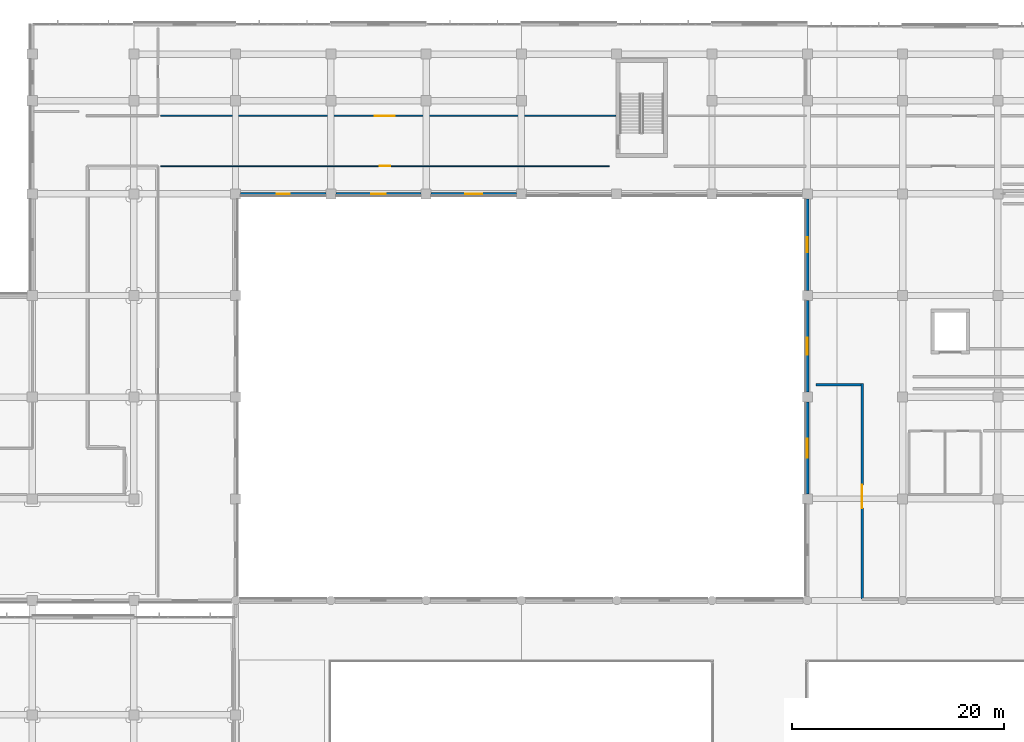
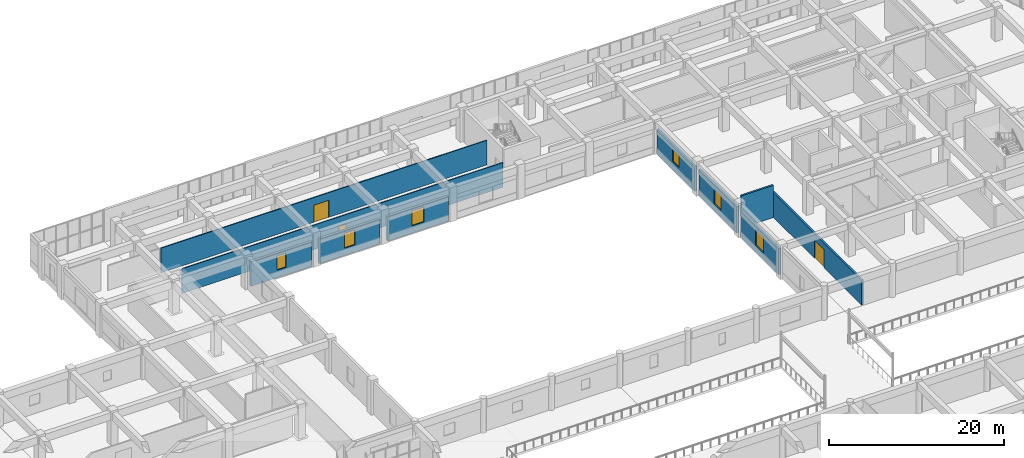
# One storey, part 58 of 86: 10 walls, 6 windows, 3 doors, 9 openings.
"""IFC4 building model written with IfcOpenShell, lengths in metres."""

import ifcopenshell
import ifcopenshell.guid

model = None  # the IFC model being written
_history = None  # IfcOwnerHistory: only IFC2X3 demands one
_inside = {}  # id of a spatial element -> (the spatial element, [elements in it])
_under = {}  # id of a project, library or spatial element -> (it, [spatial elements below it])
_declared = {}  # id of a project -> (the project, [libraries it declares])
_typed = {}  # id of a type object -> (the type object, [elements of that type])
_made_of = {}  # id of a material, layer set ... -> (it, [elements and type objects made of it])


def new_model(schema):
    """Start an empty IFC model of exactly this schema.

    Asked for "IFC4X3", IfcOpenShell would pick the latest addendum, in which some entities
    have other attributes; the version numbers below select the first issue.
    IFC2X3 requires an IfcOwnerHistory on every rooted entity: one is made here for all.
    """
    global model, _history
    if schema == "IFC4X3":
        model = ifcopenshell.file(schema_version=(4, 3, 0, 0))
    else:
        model = ifcopenshell.file(schema=schema)
    _inside.clear()
    _under.clear()
    _declared.clear()
    _typed.clear()
    _made_of.clear()
    _history = None
    if model.schema == "IFC2X3":
        org = make("IfcOrganization", Name="unknown")
        user = make(
            "IfcPersonAndOrganization",
            ThePerson=make("IfcPerson", FamilyName="unknown"),
            TheOrganization=org,
        )
        app = make(
            "IfcApplication",
            ApplicationDeveloper=org,
            Version="unknown",
            ApplicationFullName="unknown",
            ApplicationIdentifier="unknown",
        )
        _history = make(
            "IfcOwnerHistory",
            OwningUser=user,
            OwningApplication=app,
            ChangeAction="ADDED",
            CreationDate=0,
        )
    return model


def make(cls, **values):
    """One entity of the class cls with the attributes given. An attribute that is None is left unset."""
    return model.create_entity(
        cls, **{name: value for name, value in values.items() if value is not None}
    )


def rooted(cls, **values):
    """An entity with a GlobalId (a new one), such as an element, a storey or a relation."""
    return make(cls, GlobalId=ifcopenshell.guid.new(), OwnerHistory=_history, **values)


def si_unit(unit_type, name, prefix=None):
    """IfcSIUnit, for example si_unit("LENGTHUNIT", "METRE", prefix="MILLI")."""
    return make("IfcSIUnit", UnitType=unit_type, Prefix=prefix, Name=name)


def assignment(units):
    """IfcUnitAssignment: the units of a project."""
    return None if units is None else make("IfcUnitAssignment", Units=units)


def point(xyz):
    """IfcCartesianPoint."""
    return None if xyz is None else make("IfcCartesianPoint", Coordinates=xyz)


def direction(xyz):
    """IfcDirection."""
    return None if xyz is None else make("IfcDirection", DirectionRatios=xyz)


def frame(location, z_axis=None, x_axis=None):
    """IfcAxis2Placement3D, a coordinate frame: its origin and axes. An axis left out is left unset."""
    return make(
        "IfcAxis2Placement3D",
        Location=point(location),
        Axis=direction(z_axis),
        RefDirection=direction(x_axis),
    )


def frame_2d(location, x_axis=None):
    """IfcAxis2Placement2D, a coordinate frame in the plane: its origin and x axis."""
    return make(
        "IfcAxis2Placement2D", Location=point(location), RefDirection=direction(x_axis)
    )


def origin():
    """The frame at (0, 0, 0) with its axes left unset."""
    return frame((0.0, 0.0, 0.0))


def place(relative_to, where):
    """IfcLocalPlacement: puts the frame where relative to a parent placement (None: the world)."""
    return make(
        "IfcLocalPlacement", PlacementRelTo=relative_to, RelativePlacement=where
    )


def context(
    kind, dimensions, precision=None, world=None, true_north=None, identifier=None
):
    """IfcGeometricRepresentationContext, for example the 3D "Model" context."""
    return make(
        "IfcGeometricRepresentationContext",
        ContextIdentifier=identifier,
        ContextType=kind,
        CoordinateSpaceDimension=dimensions,
        Precision=precision,
        WorldCoordinateSystem=world,
        TrueNorth=true_north,
    )


def subcontext(parent, identifier, kind, view, scale=None):
    """IfcGeometricRepresentationSubContext, for example "Body" below "Model"."""
    return make(
        "IfcGeometricRepresentationSubContext",
        ContextIdentifier=identifier,
        ContextType=kind,
        ParentContext=parent,
        TargetScale=scale,
        TargetView=view,
    )


def project(units=None, contexts=None):
    """IfcProject with its units and contexts."""
    return rooted(
        "IfcProject",
        Name="project",
        RepresentationContexts=contexts,
        UnitsInContext=assignment(units),
    )


def spatial(cls, under=None, at=None, **own):
    """A site, building, storey or space (cls), placed at a placement, below another one or the project."""
    s = rooted(cls, ObjectPlacement=at, **own)
    if under is not None:
        _under.setdefault(under.id(), (under, []))[1].append(s)
    return s


def profile(cls, at=None, kind="AREA", **sizes):
    """A parametric profile (cls). Its sizes go by their IFC names, for example OverallWidth=200.0."""
    return make(cls, ProfileType=kind, Position=at, **sizes)


def rectangle(**sizes):
    """IfcRectangleProfileDef."""
    return profile("IfcRectangleProfileDef", **sizes)


def extrude(swept, where, along, depth):
    """IfcExtrudedAreaSolid: the profile swept, set in the frame where, extruded along a direction by depth."""
    return make(
        "IfcExtrudedAreaSolid",
        SweptArea=swept,
        Position=where,
        ExtrudedDirection=direction(along),
        Depth=depth,
    )


def shape(context_of_items, identifier, shape_type, items):
    """IfcShapeRepresentation: the items that make up one representation, for example the "Body"."""
    return make(
        "IfcShapeRepresentation",
        ContextOfItems=context_of_items,
        RepresentationIdentifier=identifier,
        RepresentationType=shape_type,
        Items=items,
    )


def material(Name=None, Category=None):
    """IfcMaterial."""
    return make("IfcMaterial", Name=Name, Category=Category)


def layer(
    of_material, thickness, ventilated=None, Name=None, Category=None, Priority=None
):
    """IfcMaterialLayer: one layer of a wall or slab, of a material (None: an air gap)."""
    return make(
        "IfcMaterialLayer",
        Material=of_material,
        LayerThickness=thickness,
        IsVentilated=ventilated,
        Name=Name,
        Category=Category,
        Priority=Priority,
    )


def layer_set(layers, Name=None):
    """IfcMaterialLayerSet."""
    return make("IfcMaterialLayerSet", MaterialLayers=layers, LayerSetName=Name)


def made_of(thing, what):
    """Note that an element or type object is made of a material, layer set ...; save() writes the relation."""
    if what is not None:
        _made_of.setdefault(what.id(), (what, []))[1].append(thing)
    return thing


def type_object(cls, material=None, **own):
    """A type object (cls), such as IfcWallType, which elements share."""
    return made_of(rooted(cls, **own), material)


def element(
    cls,
    number,
    at=None,
    inside=None,
    cuts=None,
    type_object=None,
    material=None,
    context=None,
    identifier="Body",
    shape_type=None,
    held_by="IfcProductDefinitionShape",
    body=None,
    shapes=None,
    **own,
):
    """One element of the class cls, such as IfcWall. Its Tag is "e" and its number.

    at: its placement. inside: the storey or other place that contains it. cuts: it is an
    opening in that element (IfcRelVoidsElement). A single representation is given by context,
    identifier, shape_type and body (its items); several are given by shapes. held_by: the class
    of the entity that holds the representations. save() writes the other relations.
    """
    e = rooted(cls, Tag="e%d" % number, ObjectPlacement=at, **own)
    if body is not None:
        shapes = [shape(context, identifier, shape_type, body)]
    if shapes is not None:
        e.Representation = make(held_by, Representations=shapes)
    if inside is not None:
        _inside.setdefault(inside.id(), (inside, []))[1].append(e)
    if cuts is not None:
        rooted(
            "IfcRelVoidsElement", RelatingBuildingElement=cuts, RelatedOpeningElement=e
        )
    if type_object is not None:
        _typed.setdefault(type_object.id(), (type_object, []))[1].append(e)
    return made_of(e, material)


def fill(opening, filler):
    """IfcRelFillsElement: the door or window that sits in an opening."""
    return rooted(
        "IfcRelFillsElement",
        RelatingOpeningElement=opening,
        RelatedBuildingElement=filler,
    )


def aggregate(whole, parts):
    """IfcRelAggregates: a whole, such as a stair, and the parts it consists of."""
    return rooted("IfcRelAggregates", RelatingObject=whole, RelatedObjects=parts)


def save(model, path):
    """Write the relations noted so far, then the file.

    IfcRelAggregates (storeys below a building ...), IfcRelContainedInSpatialStructure (elements
    in a storey), IfcRelDefinesByType, IfcRelAssociatesMaterial and IfcRelDeclares: one each for
    every whole, place, type object, material and project.
    """
    for whole, parts in _under.values():
        aggregate(whole, parts)
    for where, things in _inside.values():
        rooted(
            "IfcRelContainedInSpatialStructure",
            RelatedElements=things,
            RelatingStructure=where,
        )
    for kind, things in _typed.values():
        rooted("IfcRelDefinesByType", RelatedObjects=things, RelatingType=kind)
    for what, things in _made_of.values():
        rooted("IfcRelAssociatesMaterial", RelatedObjects=things, RelatingMaterial=what)
    for by, libraries in _declared.values():
        rooted("IfcRelDeclares", RelatingContext=by, RelatedDefinitions=libraries)
    model.write(path)


model = new_model("IFC4")

# Units and contexts
model_context = context("Model", 3, precision=1e-05, world=origin(), true_north=direction((0.0, 1.0)))
body_context = subcontext(model_context, "Body", "Model", "MODEL_VIEW")
ifc_project = project(units=[si_unit("LENGTHUNIT", "METRE"), si_unit("AREAUNIT", "SQUARE_METRE"), si_unit("VOLUMEUNIT", "CUBIC_METRE"), si_unit("PLANEANGLEUNIT", "RADIAN"), si_unit("MASSUNIT", "GRAM", prefix="KILO")], contexts=[model_context])

# Site, building, storey
site_placement = place(None, origin())
site = spatial("IfcSite", under=ifc_project, at=site_placement, CompositionType="ELEMENT")
building_placement = place(site_placement, origin())
building = spatial("IfcBuilding", under=site, at=building_placement, Name="Cendralis Terraced Arcade", CompositionType="ELEMENT")
storey_placement = place(building_placement, frame((0.0, 0.0, 5.39990234375)))
storey = spatial("IfcBuildingStorey", under=building, at=storey_placement, Name="L01", CompositionType="ELEMENT", Elevation=5.39990234375)

# Wall, opening, window
ifc_material_1 = material(Name="Precast concrete f'c 40 MPa", Category="concrete")
ifc_layer_1 = layer(ifc_material_1, 0.300048828125, Name="WL-EXT-GRC-300")
ifc_layer_set_1 = layer_set([ifc_layer_1], Name="Precast concrete f'c 40 MPa")
wall_type_1 = type_object("IfcWallType", Name="WL-EXT-GRC-300", PredefinedType="SOLIDWALL", material=ifc_layer_set_1)
wall_1_placement = place(storey_placement, frame((121.199951171875, 70.072998046875, 0.0), z_axis=(0.0, 0.0, 1.0), x_axis=(0.0, 1.0, 0.0)))
wall_1 = element("IfcWall", 1, at=wall_1_placement, inside=storey, type_object=wall_type_1, Name="Exterior Architectural Wall EW-L01-0140", PredefinedType="SOLIDWALL", context=body_context, shape_type="SweptSolid", body=[
    extrude(rectangle(XDim=8.654052734375, YDim=0.300048828125, at=frame_2d((4.3271484375, 0.0))), origin(), (0.0, 0.0, 1.0), 3.6650390625),
])
opening_1_placement = place(wall_1_placement, frame((3.427001953125, 0.0, 0.949951171875)))
opening_1 = element("IfcOpeningElement", 2, at=opening_1_placement, cuts=wall_1, Name="Opening W-04", PredefinedType="OPENING", context=body_context, shape_type="SweptSolid", body=[
    extrude(rectangle(XDim=1.800048828125, YDim=2.199951171875, at=frame_2d((0.89990234375, 1.10009765625))), frame((0.0, 0.162109375, 0.0), z_axis=(0.0, -1.0, 0.0), x_axis=(1.0, 0.0, 0.0)), (0.0, 0.0, 1.0), 0.323974609375),
])
ifc_material_2 = material(Name="Tempered solar control laminated glass", Category="glass")
window_type_1 = type_object("IfcWindowType", Name="WN-F1-1800x2200", PartitioningType="SINGLE_PANEL", PredefinedType="WINDOW", material=ifc_material_2)
window_1_placement = place(opening_1_placement, origin())
window_1 = element("IfcWindow", 3, at=window_1_placement, inside=storey, type_object=window_type_1, Name="Exterior Solar-Control Window WN-L01-0090", OverallHeight=2.199951171875, OverallWidth=1.800048828125, PartitioningType="SINGLE_PANEL", PredefinedType="WINDOW", context=body_context, shape_type="SweptSolid", body=[
    extrude(rectangle(XDim=1.800048828125, YDim=2.199951171875, at=frame_2d((0.89990234375, 1.10009765625))), frame((0.0, 0.030029296875, 0.0), z_axis=(0.0, -1.0, 0.0), x_axis=(1.0, 0.0, 0.0)), (0.0, 0.0, 1.0), 0.06005859375),
])
fill(opening_1, window_1)

wall_2_placement = place(storey_placement, frame((121.199951171875, 79.673095703125, 0.0), z_axis=(0.0, 0.0, 1.0), x_axis=(0.0, 1.0, 0.0)))
wall_2 = element("IfcWall", 4, at=wall_2_placement, inside=storey, type_object=wall_type_1, Name="Exterior Architectural Wall EW-L01-0141", PredefinedType="SOLIDWALL", context=body_context, shape_type="SweptSolid", body=[
    extrude(rectangle(XDim=8.65380859375, YDim=0.300048828125, at=frame_2d((4.326904296875, 0.0))), origin(), (0.0, 0.0, 1.0), 3.6650390625),
])
opening_2_placement = place(wall_2_placement, frame((3.527099609375, 0.0, 1.0)))
opening_2 = element("IfcOpeningElement", 5, at=opening_2_placement, cuts=wall_2, Name="Opening W-05", PredefinedType="OPENING", context=body_context, shape_type="SweptSolid", body=[
    extrude(rectangle(XDim=1.60009765625, YDim=2.10009765625, at=frame_2d((0.800048828125, 1.050048828125))), frame((0.0, 0.162109375, 0.0), z_axis=(0.0, -1.0, 0.0), x_axis=(1.0, 0.0, 0.0)), (0.0, 0.0, 1.0), 0.323974609375),
])
window_type_2 = type_object("IfcWindowType", Name="WN-F1-1600x2100", PartitioningType="SINGLE_PANEL", PredefinedType="WINDOW", material=ifc_material_2)
window_2_placement = place(opening_2_placement, origin())
window_2 = element("IfcWindow", 6, at=window_2_placement, inside=storey, type_object=window_type_2, Name="Exterior Solar-Control Window WN-L01-0091", OverallHeight=2.10009765625, OverallWidth=1.60009765625, PartitioningType="SINGLE_PANEL", PredefinedType="WINDOW", context=body_context, shape_type="SweptSolid", body=[
    extrude(rectangle(XDim=1.60009765625, YDim=2.10009765625, at=frame_2d((0.800048828125, 1.050048828125))), frame((0.0, 0.030029296875, 0.0), z_axis=(0.0, -1.0, 0.0), x_axis=(1.0, 0.0, 0.0)), (0.0, 0.0, 1.0), 0.06005859375),
])
fill(opening_2, window_2)

wall_3_placement = place(storey_placement, frame((121.199951171875, 89.27294921875, 0.0), z_axis=(0.0, 0.0, 1.0), x_axis=(0.0, 1.0, 0.0)))
wall_3 = element("IfcWall", 7, at=wall_3_placement, inside=storey, type_object=wall_type_1, Name="Exterior Architectural Wall EW-L01-0142", PredefinedType="SOLIDWALL", context=body_context, shape_type="SweptSolid", body=[
    extrude(rectangle(XDim=8.654052734375, YDim=0.300048828125, at=frame_2d((4.3271484375, 0.0))), origin(), (0.0, 0.0, 1.0), 3.445068359375),
])
opening_3_placement = place(wall_3_placement, frame((3.626953125, 0.0, 1.14990234375)))
opening_3 = element("IfcOpeningElement", 8, at=opening_3_placement, cuts=wall_3, Name="Opening W-29", PredefinedType="OPENING", context=body_context, shape_type="SweptSolid", body=[
    extrude(rectangle(XDim=1.39990234375, YDim=1.64990234375, at=frame_2d((0.699951171875, 0.824951171875))), frame((0.0, 0.162109375, 0.0), z_axis=(0.0, -1.0, 0.0), x_axis=(1.0, 0.0, 0.0)), (0.0, 0.0, 1.0), 0.323974609375),
])
window_type_3 = type_object("IfcWindowType", Name="WN-F3-1400x1650", PartitioningType="SINGLE_PANEL", PredefinedType="WINDOW", material=ifc_material_2)
window_3_placement = place(opening_3_placement, origin())
window_3 = element("IfcWindow", 9, at=window_3_placement, inside=storey, type_object=window_type_3, Name="Exterior Solar-Control Window WN-L01-0092", OverallHeight=1.64990234375, OverallWidth=1.39990234375, PartitioningType="SINGLE_PANEL", PredefinedType="WINDOW", context=body_context, shape_type="SweptSolid", body=[
    extrude(rectangle(XDim=1.39990234375, YDim=1.64990234375, at=frame_2d((0.699951171875, 0.824951171875))), frame((0.0, 0.030029296875, 0.0), z_axis=(0.0, -1.0, 0.0), x_axis=(1.0, 0.0, 0.0)), (0.0, 0.0, 1.0), 0.06005859375),
])
fill(opening_3, window_3)

wall_4_placement = place(storey_placement, frame((93.72705078125, 98.39990234375, 0.0), z_axis=(0.0, 0.0, 1.0), x_axis=(-1.0, 0.0, 0.0)))
wall_4 = element("IfcWall", 10, at=wall_4_placement, inside=storey, type_object=wall_type_1, Name="Exterior Architectural Wall EW-L01-0146", PredefinedType="SOLIDWALL", context=body_context, shape_type="SweptSolid", body=[
    extrude(rectangle(XDim=8.053955078125, YDim=0.300048828125, at=frame_2d((4.02685546875, 0.0))), origin(), (0.0, 0.0, 1.0), 3.445068359375),
])
opening_4_placement = place(wall_4_placement, frame((3.22705078125, 0.0, 1.0)))
opening_4 = element("IfcOpeningElement", 11, at=opening_4_placement, cuts=wall_4, Name="Opening W-05", PredefinedType="OPENING", context=body_context, shape_type="SweptSolid", body=[
    extrude(rectangle(XDim=1.60009765625, YDim=2.10009765625, at=frame_2d((0.800048828125, 1.050048828125))), frame((0.0, 0.162109375, 0.0), z_axis=(0.0, -1.0, 0.0), x_axis=(1.0, 0.0, 0.0)), (0.0, 0.0, 1.0), 0.323974609375),
])
window_4_placement = place(opening_4_placement, origin())
window_4 = element("IfcWindow", 12, at=window_4_placement, inside=storey, type_object=window_type_2, Name="Exterior Solar-Control Window WN-L01-0096", OverallHeight=2.10009765625, OverallWidth=1.60009765625, PartitioningType="SINGLE_PANEL", PredefinedType="WINDOW", context=body_context, shape_type="SweptSolid", body=[
    extrude(rectangle(XDim=1.60009765625, YDim=2.10009765625, at=frame_2d((0.800048828125, 1.050048828125))), frame((0.0, 0.030029296875, 0.0), z_axis=(0.0, -1.0, 0.0), x_axis=(1.0, 0.0, 0.0)), (0.0, 0.0, 1.0), 0.06005859375),
])
fill(opening_4, window_4)

wall_5_placement = place(storey_placement, frame((84.72705078125, 98.39990234375, 0.0), z_axis=(0.0, 0.0, 1.0), x_axis=(-1.0, 0.0, 0.0)))
wall_5 = element("IfcWall", 13, at=wall_5_placement, inside=storey, type_object=wall_type_1, Name="Exterior Architectural Wall EW-L01-0147", PredefinedType="SOLIDWALL", context=body_context, shape_type="SweptSolid", body=[
    extrude(rectangle(XDim=8.053955078125, YDim=0.300048828125, at=frame_2d((4.02685546875, 0.0))), origin(), (0.0, 0.0, 1.0), 3.445068359375),
])
opening_5_placement = place(wall_5_placement, frame((3.326904296875, 0.0, 1.0)))
opening_5 = element("IfcOpeningElement", 14, at=opening_5_placement, cuts=wall_5, Name="Opening W-06", PredefinedType="OPENING", context=body_context, shape_type="SweptSolid", body=[
    extrude(rectangle(XDim=1.39990234375, YDim=2.10009765625, at=frame_2d((0.699951171875, 1.050048828125))), frame((0.0, 0.162109375, 0.0), z_axis=(0.0, -1.0, 0.0), x_axis=(1.0, 0.0, 0.0)), (0.0, 0.0, 1.0), 0.323974609375),
])
window_type_4 = type_object("IfcWindowType", Name="WN-F1-1400x2100", PartitioningType="SINGLE_PANEL", PredefinedType="WINDOW", material=ifc_material_2)
window_5_placement = place(opening_5_placement, origin())
window_5 = element("IfcWindow", 15, at=window_5_placement, inside=storey, type_object=window_type_4, Name="Exterior Solar-Control Window WN-L01-0097", OverallHeight=2.10009765625, OverallWidth=1.39990234375, PartitioningType="SINGLE_PANEL", PredefinedType="WINDOW", context=body_context, shape_type="SweptSolid", body=[
    extrude(rectangle(XDim=1.39990234375, YDim=2.10009765625, at=frame_2d((0.699951171875, 1.050048828125))), frame((0.0, 0.030029296875, 0.0), z_axis=(0.0, -1.0, 0.0), x_axis=(1.0, 0.0, 0.0)), (0.0, 0.0, 1.0), 0.06005859375),
])
fill(opening_5, window_5)

wall_6_placement = place(storey_placement, frame((75.72705078125, 98.39990234375, 0.0), z_axis=(0.0, 0.0, 1.0), x_axis=(-1.0, 0.0, 0.0)))
wall_6 = element("IfcWall", 16, at=wall_6_placement, inside=storey, type_object=wall_type_1, Name="Exterior Architectural Wall EW-L01-0148", PredefinedType="SOLIDWALL", context=body_context, shape_type="SweptSolid", body=[
    extrude(rectangle(XDim=8.053955078125, YDim=0.300048828125, at=frame_2d((4.02685546875, 0.0))), origin(), (0.0, 0.0, 1.0), 3.445068359375),
])
opening_6_placement = place(wall_6_placement, frame((3.427001953125, 0.0, 1.050048828125)))
opening_6 = element("IfcOpeningElement", 17, at=opening_6_placement, cuts=wall_6, Name="Opening W-07", PredefinedType="OPENING", context=body_context, shape_type="SweptSolid", body=[
    extrude(rectangle(XDim=1.199951171875, YDim=2.0, at=frame_2d((0.60009765625, 1.0))), frame((0.0, 0.162109375, 0.0), z_axis=(0.0, -1.0, 0.0), x_axis=(1.0, 0.0, 0.0)), (0.0, 0.0, 1.0), 0.323974609375),
])
window_type_5 = type_object("IfcWindowType", Name="WN-F1-1200x2000", PartitioningType="SINGLE_PANEL", PredefinedType="WINDOW", material=ifc_material_2)
window_6_placement = place(opening_6_placement, origin())
window_6 = element("IfcWindow", 18, at=window_6_placement, inside=storey, type_object=window_type_5, Name="Exterior Solar-Control Window WN-L01-0098", OverallHeight=2.0, OverallWidth=1.199951171875, PartitioningType="SINGLE_PANEL", PredefinedType="WINDOW", context=body_context, shape_type="SweptSolid", body=[
    extrude(rectangle(XDim=1.199951171875, YDim=2.0, at=frame_2d((0.60009765625, 1.0))), frame((0.0, 0.030029296875, 0.0), z_axis=(0.0, -1.0, 0.0), x_axis=(1.0, 0.0, 0.0)), (0.0, 0.0, 1.0), 0.06005859375),
])
fill(opening_6, window_6)

# Wall, opening, door
ifc_material_3 = material(Name="Autoclaved aerated concrete blockwork", Category="masonry")
ifc_layer_2 = layer(ifc_material_3, 0.241943359375, Name="WL-FIRE-242")
ifc_layer_set_2 = layer_set([ifc_layer_2], Name="Autoclaved aerated concrete blockwork")
wall_type_2 = type_object("IfcWallType", Name="WL-FIRE-242", PredefinedType="PARTITIONING", material=ifc_layer_set_2)
wall_7_placement = place(storey_placement, frame((126.3798828125, 60.1201171875, 0.0), z_axis=(0.0, 0.0, 1.0), x_axis=(0.0, 1.0, 0.0)))
wall_7 = element("IfcWall", 19, at=wall_7_placement, inside=storey, type_object=wall_type_2, Name="Interior Partition Wall IW-L01-0410", PredefinedType="PARTITIONING", context=body_context, shape_type="SweptSolid", body=[
    extrude(rectangle(XDim=20.380859375, YDim=0.241943359375, at=frame_2d((10.1904296875, 0.0))), origin(), (0.0, 0.0, 1.0), 3.445068359375),
])
opening_7_placement = place(wall_7_placement, frame((8.60009765625, 0.0, 0.0)))
opening_7 = element("IfcOpeningElement", 20, at=opening_7_placement, cuts=wall_7, Name="Opening D-L01-115", PredefinedType="OPENING", context=body_context, shape_type="SweptSolid", body=[
    extrude(rectangle(XDim=2.199951171875, YDim=2.5, at=frame_2d((1.10009765625, 1.25))), frame((0.0, 0.1328125, 0.0), z_axis=(0.0, -1.0, 0.0), x_axis=(1.0, 0.0, 0.0)), (0.0, 0.0, 1.0), 0.265869140625),
])
ifc_material_4 = material(Name="Galvanised fire-rated steel door assembly", Category="steel")
door_type_1 = type_object("IfcDoorType", Name="ID-STK-2200x2500", OperationType="DOUBLE_DOOR_SINGLE_SWING", PredefinedType="DOOR", material=ifc_material_4)
door_1_placement = place(opening_7_placement, origin())
door_1 = element("IfcDoor", 21, at=door_1_placement, inside=storey, type_object=door_type_1, Name="Central Stockrooms and Automated Picking - L01 Door D-L01-115", OperationType="DOUBLE_DOOR_SINGLE_SWING", OverallHeight=2.5, OverallWidth=2.199951171875, PredefinedType="DOOR", context=body_context, shape_type="SweptSolid", body=[
    extrude(rectangle(XDim=2.199951171875, YDim=2.5, at=frame_2d((1.10009765625, 1.25))), frame((0.0, 0.02490234375, 0.0), z_axis=(0.0, -1.0, 0.0), x_axis=(1.0, 0.0, 0.0)), (0.0, 0.0, 1.0), 0.050048828125),
])
fill(opening_7, door_1)

# Wall
wall_8_placement = place(storey_placement, frame((126.259033203125, 80.3798828125, 0.0), z_axis=(0.0, 0.0, 1.0), x_axis=(-1.0, 0.0, 0.0)))
element("IfcWall", 22, at=wall_8_placement, inside=storey, type_object=wall_type_2, Name="Interior Partition Wall IW-L01-0421", PredefinedType="PARTITIONING", context=body_context, shape_type="SweptSolid", body=[
    extrude(rectangle(XDim=4.218994140625, YDim=0.241943359375, at=frame_2d((2.109375, 0.0))), origin(), (0.0, 0.0, 1.0), 4.505126953125),
])

# Wall, opening, door
ifc_material_5 = material(Name="Gypsum plasterboard acoustic partition", Category="concrete")
ifc_layer_3 = layer(ifc_material_5, 0.10791015625, Name="WL-PART-108")
ifc_layer_set_3 = layer_set([ifc_layer_3], Name="Gypsum plasterboard acoustic partition")
wall_type_3 = type_object("IfcWallType", Name="WL-PART-108", PredefinedType="PARTITIONING", material=ifc_layer_set_3)
wall_9_placement = place(storey_placement, frame((60.1201171875, 101.02001953125, 0.0), z_axis=(0.0, 0.0, 1.0), x_axis=(1.0, 0.0, 0.0)))
wall_9 = element("IfcWall", 23, at=wall_9_placement, inside=storey, type_object=wall_type_3, Name="Interior Partition Wall IW-L01-0379", PredefinedType="PARTITIONING", context=body_context, shape_type="SweptSolid", body=[
    extrude(rectangle(XDim=42.390869140625, YDim=0.10791015625, at=frame_2d((21.1953125, 0.0))), origin(), (0.0, 0.0, 1.0), 3.445068359375),
])
opening_8_placement = place(wall_9_placement, frame((20.715576171875, 0.0, 0.0)))
opening_8 = element("IfcOpeningElement", 24, at=opening_8_placement, cuts=wall_9, Name="Opening D-L01-106", PredefinedType="OPENING", context=body_context, shape_type="SweptSolid", body=[
    extrude(rectangle(XDim=0.9599609375, YDim=2.1298828125, at=frame_2d((0.47998046875, 1.06494140625))), frame((0.0, 0.06591796875, 0.0), z_axis=(0.0, -1.0, 0.0), x_axis=(1.0, 0.0, 0.0)), (0.0, 0.0, 1.0), 0.1318359375),
])
ifc_material_6 = material(Name="Solid core Andean oak veneer door leaf", Category="aluminium")
door_type_2 = type_object("IfcDoorType", Name="ID-RM-0960x2130", OperationType="NOTDEFINED", PredefinedType="DOOR", material=ifc_material_6)
door_2_placement = place(opening_8_placement, origin())
door_2 = element("IfcDoor", 25, at=door_2_placement, inside=storey, type_object=door_type_2, Name="Homeware and Tableware Sales Floor Door D-L01-106", OperationType="SINGLE_SWING_LEFT", OverallHeight=2.1298828125, OverallWidth=0.9599609375, PredefinedType="DOOR", context=body_context, shape_type="SweptSolid", body=[
    extrude(rectangle(XDim=0.9599609375, YDim=2.1298828125, at=frame_2d((0.47998046875, 1.06494140625))), frame((0.0, 0.02490234375, 0.0), z_axis=(0.0, -1.0, 0.0), x_axis=(1.0, 0.0, 0.0)), (0.0, 0.0, 1.0), 0.050048828125),
])
fill(opening_8, door_2)

ifc_layer_4 = layer(ifc_material_5, 0.1220703125, Name="WL-PART-122")
ifc_layer_set_4 = layer_set([ifc_layer_4], Name="Gypsum plasterboard acoustic partition")
wall_type_4 = type_object("IfcWallType", Name="WL-PART-122", PredefinedType="PARTITIONING", material=ifc_layer_set_4)
wall_10_placement = place(storey_placement, frame((103.1201171875, 105.780029296875, 0.0), z_axis=(0.0, 0.0, 1.0), x_axis=(-1.0, 0.0, 0.0)))
wall_10 = element("IfcWall", 26, at=wall_10_placement, inside=storey, type_object=wall_type_4, Name="Interior Partition Wall IW-L01-0376", PredefinedType="PARTITIONING", context=body_context, shape_type="SweptSolid", body=[
    extrude(rectangle(XDim=43.0, YDim=0.1220703125, at=frame_2d((21.5, 0.0))), origin(), (0.0, 0.0, 1.0), 3.445068359375),
])
opening_9_placement = place(wall_10_placement, frame((20.8701171875, 0.0, 0.0)))
opening_9 = element("IfcOpeningElement", 27, at=opening_9_placement, cuts=wall_10, Name="Opening D-L01-105", PredefinedType="OPENING", context=body_context, shape_type="SweptSolid", body=[
    extrude(rectangle(XDim=1.919921875, YDim=2.3798828125, at=frame_2d((0.9599609375, 1.18994140625))), frame((0.0, 0.072998046875, 0.0), z_axis=(0.0, -1.0, 0.0), x_axis=(1.0, 0.0, 0.0)), (0.0, 0.0, 1.0), 0.14599609375),
])
door_type_3 = type_object("IfcDoorType", Name="ID-DEP-1920x2380", OperationType="DOUBLE_DOOR_SINGLE_SWING", PredefinedType="DOOR", material=ifc_material_6)
door_3_placement = place(opening_9_placement, origin())
door_3 = element("IfcDoor", 28, at=door_3_placement, inside=storey, type_object=door_type_3, Name="Homeware and Tableware Sales Floor Door D-L01-105", OperationType="DOUBLE_DOOR_SINGLE_SWING", OverallHeight=2.3798828125, OverallWidth=1.919921875, PredefinedType="DOOR", context=body_context, shape_type="SweptSolid", body=[
    extrude(rectangle(XDim=1.919921875, YDim=2.3798828125, at=frame_2d((0.9599609375, 1.18994140625))), frame((0.0, 0.02490234375, 0.0), z_axis=(0.0, -1.0, 0.0), x_axis=(1.0, 0.0, 0.0)), (0.0, 0.0, 1.0), 0.050048828125),
])
fill(opening_9, door_3)

save(model, "model.ifc")
